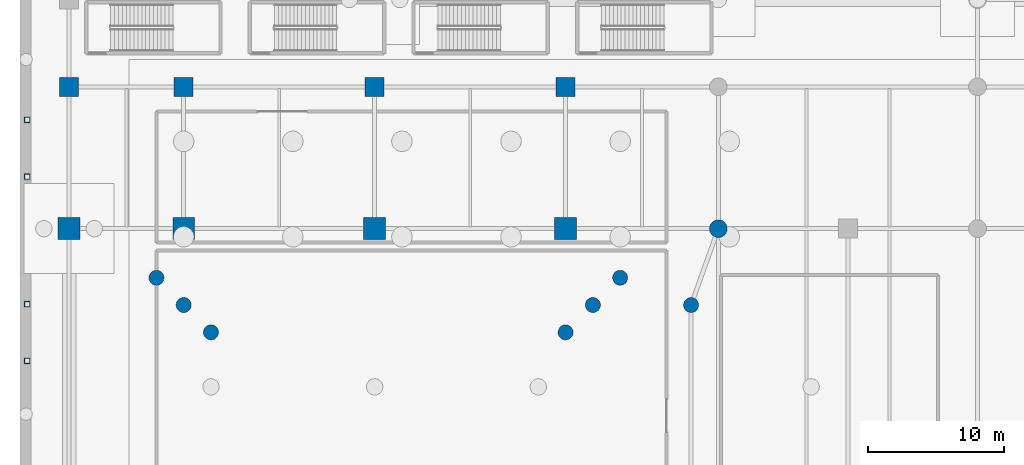
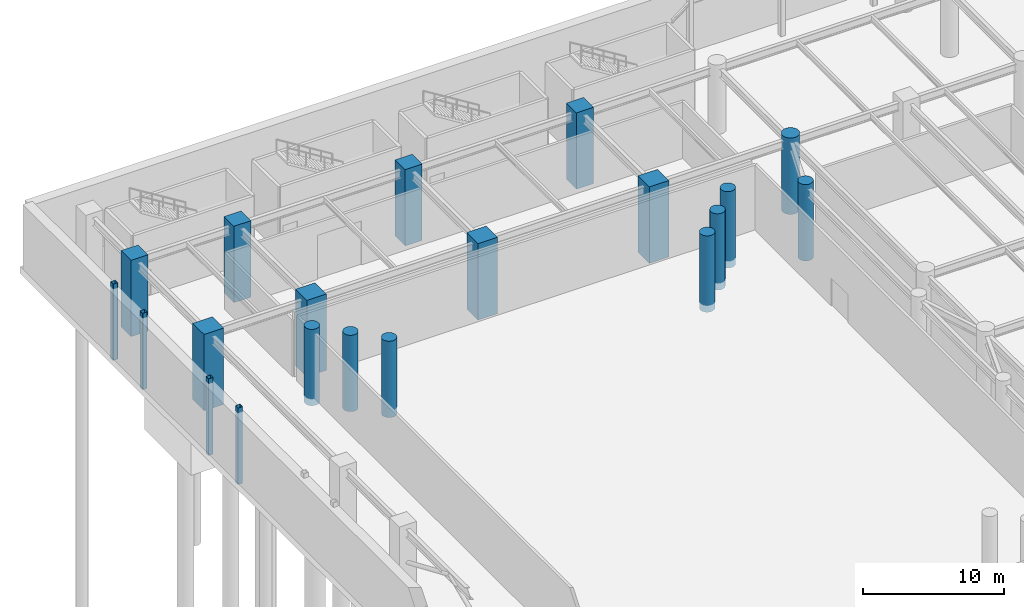
# One storey, part 8 of 37: 20 columns.
"""IFC4 building model written with IfcOpenShell, lengths in metres."""

from ifc_helpers import new_model, si_unit, direction, frame, origin, origin_2d, place, context, subcontext, project, spatial, rectangle, hollow_rectangle, circle, extrude, material, material_profile, profile_set, type_object, element, save


model = new_model("IFC4")

# Units and contexts
model_context = context("Model", 3, precision=1e-05, world=origin(), true_north=direction((0.0, 1.0)))
body_context = subcontext(model_context, "Body", "Model", "MODEL_VIEW")
ifc_project = project(units=[si_unit("LENGTHUNIT", "METRE"), si_unit("AREAUNIT", "SQUARE_METRE"), si_unit("VOLUMEUNIT", "CUBIC_METRE"), si_unit("PLANEANGLEUNIT", "RADIAN"), si_unit("MASSUNIT", "GRAM", prefix="KILO")], contexts=[model_context])

# Site, building, storey
site_placement = place(None, origin())
site = spatial("IfcSite", under=ifc_project, at=site_placement, CompositionType="ELEMENT")
building_placement = place(site_placement, origin())
building = spatial("IfcBuilding", under=site, at=building_placement, Name="Narakoshi Arena Tower", CompositionType="ELEMENT")
storey_placement = place(building_placement, frame((0.0, 0.0, -6.0)))
storey = spatial("IfcBuildingStorey", under=building, at=storey_placement, Name="B01", CompositionType="ELEMENT", Elevation=-6.0)

# Columns
ifc_material_1 = material(Name="Concrete C50/60", Category="concrete")
ifc_material_profile_1 = material_profile(ifc_material_1, circle(Radius=0.550048828125, at=origin_2d()), Name="RCC1100")
ifc_profile_set_1 = profile_set([ifc_material_profile_1], Name="Concrete C50/60")
column_type_1 = type_object("IfcColumnType", Name="COL-CIR1100", PredefinedType="PILASTER", material=ifc_profile_set_1)
for number, where, z_axis, x_axis, name in (
    (1, (40.0, 68.0, -0.60009765625), (0.0, 0.0, 1.0), (1.0, 0.0, 0.0), "B01 Arena Bowl Raker Column BWL1C"),
    (2, (14.0, 68.0, -0.60009765625), (0.0, 0.0, 1.0), (1.0, 0.0, 0.0), "B01 Arena Bowl Raker Column BWL1D"),
    (3, (42.0, 70.0, -0.60009765625), (0.0, 0.0, 1.0), (1.0, 0.0, 0.0), "B01 Arena Bowl Raker Column BWL2C"),
    (4, (12.0, 70.0, -0.60009765625), (0.0, 0.0, 1.0), (1.0, 0.0, 0.0), "B01 Arena Bowl Raker Column BWL2D"),
    (5, (44.0, 72.0, -0.60009765625), (0.0, 0.0, 1.0), (1.0, 0.0, 0.0), "B01 Arena Bowl Raker Column BWL3C"),
    (6, (10.0, 72.0, -0.60009765625), (0.0, 0.0, 1.0), (1.0, 0.0, 0.0), "B01 Arena Bowl Raker Column BWL3D"),
    (7, (49.199951171875, 70.0, -0.60009765625), (0.0, 0.0, 1.0), (1.0, 0.0, 0.0), "B01 Arena Foyer Pilaster Column 04"),
):
    element("IfcColumn", number, at=place(storey_placement, frame(where, z_axis=z_axis, x_axis=x_axis)), inside=storey, type_object=column_type_1, Name=name, PredefinedType="PILASTER", context=body_context, shape_type="SweptSolid", body=[
        extrude(circle(Radius=0.550048828125, at=origin_2d()), origin(), (0.0, 0.0, 1.0), 6.60009765625),
    ])
ifc_material_2 = material(Name="Concrete C60/75", Category="concrete")
ifc_material_profile_2 = material_profile(ifc_material_2, circle(Radius=0.64990234375, at=origin_2d()), Name="RCC1300")
ifc_profile_set_2 = profile_set([ifc_material_profile_2], Name="Concrete C60/75")
column_type_2 = type_object("IfcColumnType", Name="COL-CIR1300", PredefinedType="PILASTER", material=ifc_profile_set_2)
column_placement = place(storey_placement, frame((51.199951171875, 75.60009765625, -0.60009765625), z_axis=(0.0, 0.0, 1.0), x_axis=(1.0, 0.0, 0.0)))
element("IfcColumn", 8, at=column_placement, inside=storey, type_object=column_type_2, Name="B01 Podium Column PC27", PredefinedType="PILASTER", context=body_context, shape_type="SweptSolid", body=[
    extrude(circle(Radius=0.64990234375, at=origin_2d()), origin(), (0.0, 0.0, 1.0), 6.60009765625),
])
ifc_material_profile_3 = material_profile(ifc_material_2, rectangle(XDim=1.39990234375, YDim=1.39990234375, at=origin_2d()), Name="RC1400x1400")
ifc_profile_set_3 = profile_set([ifc_material_profile_3], Name="Concrete C60/75")
column_type_3 = type_object("IfcColumnType", Name="COL-RC1400", PredefinedType="COLUMN", material=ifc_profile_set_3)
for number, where, z_axis, x_axis, name in (
    (9, (3.60009765625, 86.0, -0.60009765625), (0.0, 0.0, 1.0), (1.0, 0.0, 0.0), "B01 Podium Column PC08"),
    (10, (12.0, 86.0, -0.60009765625), (0.0, 0.0, 1.0), (1.0, 0.0, 0.0), "B01 Podium Column PC13"),
    (11, (26.0, 86.0, -0.60009765625), (0.0, 0.0, 1.0), (1.0, 0.0, 0.0), "B01 Podium Column PC17"),
    (12, (40.0, 86.0, -0.60009765625), (0.0, 0.0, 1.0), (1.0, 0.0, 0.0), "B01 Podium Column PC21"),
):
    element("IfcColumn", number, at=place(storey_placement, frame(where, z_axis=z_axis, x_axis=x_axis)), inside=storey, type_object=column_type_3, Name=name, PredefinedType="COLUMN", context=body_context, shape_type="SweptSolid", body=[
        extrude(rectangle(XDim=1.39990234375, YDim=1.39990234375, at=origin_2d()), origin(), (0.0, 0.0, 1.0), 6.60009765625),
    ])
ifc_material_profile_4 = material_profile(ifc_material_2, rectangle(XDim=1.60009765625, YDim=1.60009765625, at=origin_2d()), Name="RC1600x1600")
ifc_profile_set_4 = profile_set([ifc_material_profile_4], Name="Concrete C60/75")
column_type_4 = type_object("IfcColumnType", Name="COL-RC1600", PredefinedType="COLUMN", material=ifc_profile_set_4)
for number, where, z_axis, x_axis, name in (
    (13, (3.60009765625, 75.60009765625, -0.60009765625), (0.0, 0.0, 1.0), (1.0, 0.0, 0.0), "B01 Podium Column PC07"),
    (14, (12.0, 75.60009765625, -0.60009765625), (0.0, 0.0, 1.0), (1.0, 0.0, 0.0), "B01 Podium Column PC12"),
    (15, (26.0, 75.60009765625, -0.60009765625), (0.0, 0.0, 1.0), (1.0, 0.0, 0.0), "B01 Podium Column PC16"),
    (16, (40.0, 75.60009765625, -0.60009765625), (0.0, 0.0, 1.0), (1.0, 0.0, 0.0), "B01 Podium Column PC20"),
):
    element("IfcColumn", number, at=place(storey_placement, frame(where, z_axis=z_axis, x_axis=x_axis)), inside=storey, type_object=column_type_4, Name=name, PredefinedType="COLUMN", context=body_context, shape_type="SweptSolid", body=[
        extrude(rectangle(XDim=1.60009765625, YDim=1.60009765625, at=origin_2d()), origin(), (0.0, 0.0, 1.0), 6.60009765625),
    ])
ifc_material_3 = material(Name="Structural steel S355J2", Category="steel")
ifc_material_profile_5 = material_profile(ifc_material_3, hollow_rectangle(XDim=0.39990234375, YDim=0.39990234375, WallThickness=0.02001953125, OuterFilletRadius=0.0400390625, at=origin_2d()), Name="SHS400x400x20")
ifc_profile_set_5 = profile_set([ifc_material_profile_5], Name="Structural steel S355J2")
column_type_5 = type_object("IfcColumnType", Name="COL-SHS400", PredefinedType="COLUMN", material=ifc_profile_set_5)
for number, where, z_axis, x_axis, name in (
    (17, (0.52001953125, 83.570068359375, -0.60009765625), (0.0, 0.0, 1.0), (1.0, 0.0, 0.0), "B01 Shutter Lintel Pier 01N"),
    (18, (0.52001953125, 79.409912109375, -0.60009765625), (0.0, 0.0, 1.0), (1.0, 0.0, 0.0), "B01 Shutter Lintel Pier 01S"),
    (19, (0.52001953125, 70.070068359375, -0.60009765625), (0.0, 0.0, 1.0), (1.0, 0.0, 0.0), "B01 Shutter Lintel Pier 02N"),
    (20, (0.52001953125, 65.909912109375, -0.60009765625), (0.0, 0.0, 1.0), (1.0, 0.0, 0.0), "B01 Shutter Lintel Pier 02S"),
):
    element("IfcColumn", number, at=place(storey_placement, frame(where, z_axis=z_axis, x_axis=x_axis)), inside=storey, type_object=column_type_5, Name=name, PredefinedType="COLUMN", context=body_context, shape_type="SweptSolid", body=[
        extrude(hollow_rectangle(XDim=0.39990234375, YDim=0.39990234375, WallThickness=0.02001953125, OuterFilletRadius=0.0400390625, at=origin_2d()), origin(), (0.0, 0.0, 1.0), 6.60009765625),
    ])

save(model, "model.ifc")
